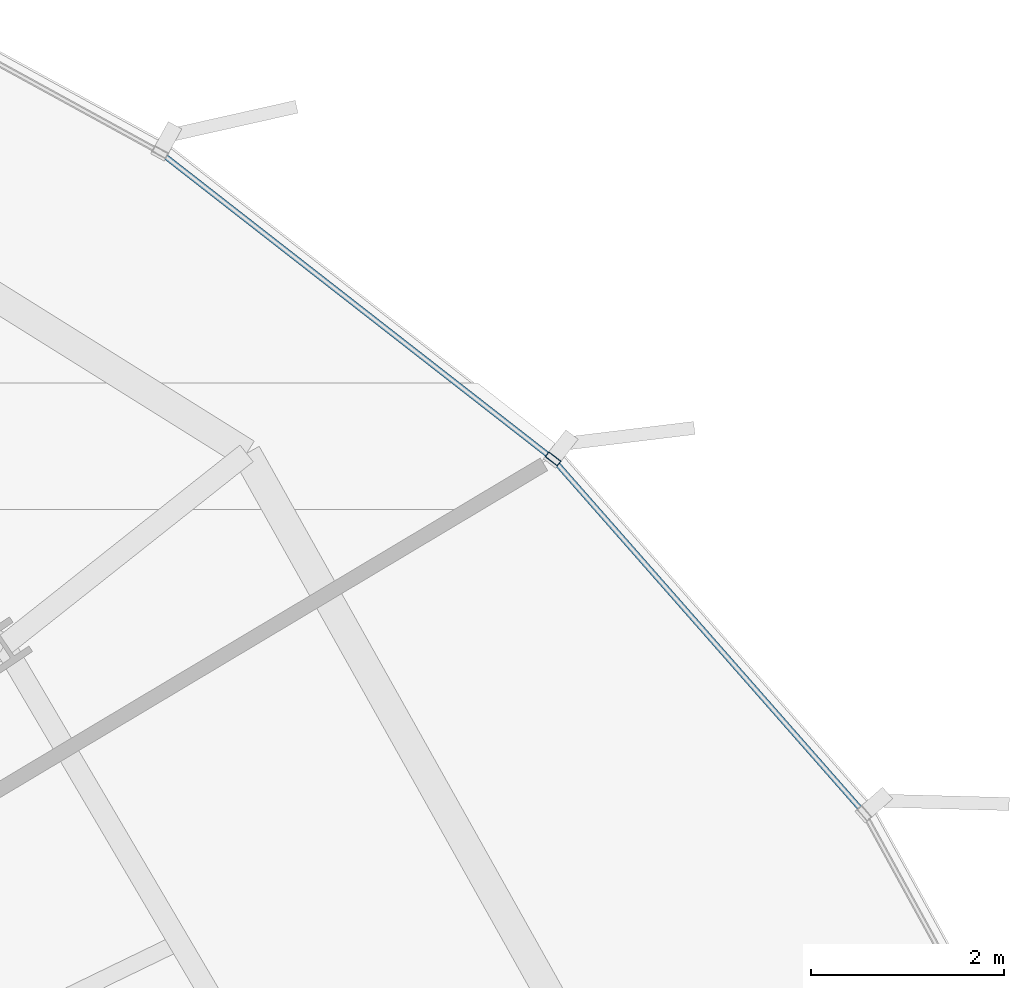
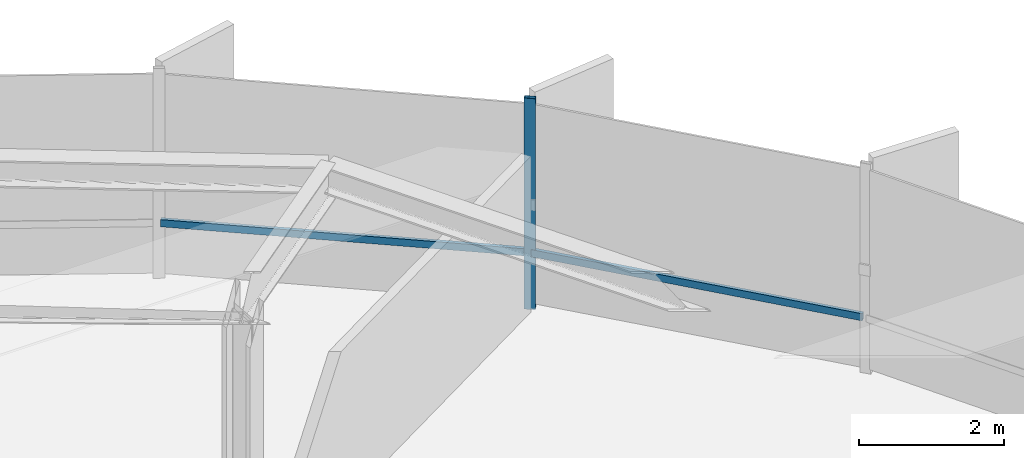
# One storey, part 25 of 37: 3 members, 1 element without a shape of its own.
"""IFC4 building model written with IfcOpenShell, lengths in metres."""

import ifcopenshell
import ifcopenshell.guid

model = None  # the IFC model being written
_history = None  # IfcOwnerHistory: only IFC2X3 demands one
_inside = {}  # id of a spatial element -> (the spatial element, [elements in it])
_under = {}  # id of a project, library or spatial element -> (it, [spatial elements below it])
_declared = {}  # id of a project -> (the project, [libraries it declares])
_typed = {}  # id of a type object -> (the type object, [elements of that type])
_made_of = {}  # id of a material, layer set ... -> (it, [elements and type objects made of it])


def new_model(schema):
    """Start an empty IFC model of exactly this schema.

    Asked for "IFC4X3", IfcOpenShell would pick the latest addendum, in which some entities
    have other attributes; the version numbers below select the first issue.
    IFC2X3 requires an IfcOwnerHistory on every rooted entity: one is made here for all.
    """
    global model, _history
    if schema == "IFC4X3":
        model = ifcopenshell.file(schema_version=(4, 3, 0, 0))
    else:
        model = ifcopenshell.file(schema=schema)
    _inside.clear()
    _under.clear()
    _declared.clear()
    _typed.clear()
    _made_of.clear()
    _history = None
    if model.schema == "IFC2X3":
        org = make("IfcOrganization", Name="unknown")
        user = make(
            "IfcPersonAndOrganization",
            ThePerson=make("IfcPerson", FamilyName="unknown"),
            TheOrganization=org,
        )
        app = make(
            "IfcApplication",
            ApplicationDeveloper=org,
            Version="unknown",
            ApplicationFullName="unknown",
            ApplicationIdentifier="unknown",
        )
        _history = make(
            "IfcOwnerHistory",
            OwningUser=user,
            OwningApplication=app,
            ChangeAction="ADDED",
            CreationDate=0,
        )
    return model


def make(cls, **values):
    """One entity of the class cls with the attributes given. An attribute that is None is left unset."""
    return model.create_entity(
        cls, **{name: value for name, value in values.items() if value is not None}
    )


def rooted(cls, **values):
    """An entity with a GlobalId (a new one), such as an element, a storey or a relation."""
    return make(cls, GlobalId=ifcopenshell.guid.new(), OwnerHistory=_history, **values)


def si_unit(unit_type, name, prefix=None):
    """IfcSIUnit, for example si_unit("LENGTHUNIT", "METRE", prefix="MILLI")."""
    return make("IfcSIUnit", UnitType=unit_type, Prefix=prefix, Name=name)


def assignment(units):
    """IfcUnitAssignment: the units of a project."""
    return None if units is None else make("IfcUnitAssignment", Units=units)


def point(xyz):
    """IfcCartesianPoint."""
    return None if xyz is None else make("IfcCartesianPoint", Coordinates=xyz)


def direction(xyz):
    """IfcDirection."""
    return None if xyz is None else make("IfcDirection", DirectionRatios=xyz)


def frame(location, z_axis=None, x_axis=None):
    """IfcAxis2Placement3D, a coordinate frame: its origin and axes. An axis left out is left unset."""
    return make(
        "IfcAxis2Placement3D",
        Location=point(location),
        Axis=direction(z_axis),
        RefDirection=direction(x_axis),
    )


def frame_2d(location, x_axis=None):
    """IfcAxis2Placement2D, a coordinate frame in the plane: its origin and x axis."""
    return make(
        "IfcAxis2Placement2D", Location=point(location), RefDirection=direction(x_axis)
    )


def origin():
    """The frame at (0, 0, 0) with its axes left unset."""
    return frame((0.0, 0.0, 0.0))


def origin_2d():
    """The frame at (0, 0) in the plane with its x axis left unset."""
    return frame_2d((0.0, 0.0))


def place(relative_to, where):
    """IfcLocalPlacement: puts the frame where relative to a parent placement (None: the world)."""
    return make(
        "IfcLocalPlacement", PlacementRelTo=relative_to, RelativePlacement=where
    )


def context(
    kind, dimensions, precision=None, world=None, true_north=None, identifier=None
):
    """IfcGeometricRepresentationContext, for example the 3D "Model" context."""
    return make(
        "IfcGeometricRepresentationContext",
        ContextIdentifier=identifier,
        ContextType=kind,
        CoordinateSpaceDimension=dimensions,
        Precision=precision,
        WorldCoordinateSystem=world,
        TrueNorth=true_north,
    )


def subcontext(parent, identifier, kind, view, scale=None):
    """IfcGeometricRepresentationSubContext, for example "Body" below "Model"."""
    return make(
        "IfcGeometricRepresentationSubContext",
        ContextIdentifier=identifier,
        ContextType=kind,
        ParentContext=parent,
        TargetScale=scale,
        TargetView=view,
    )


def project(units=None, contexts=None):
    """IfcProject with its units and contexts."""
    return rooted(
        "IfcProject",
        Name="project",
        RepresentationContexts=contexts,
        UnitsInContext=assignment(units),
    )


def spatial(cls, under=None, at=None, **own):
    """A site, building, storey or space (cls), placed at a placement, below another one or the project."""
    s = rooted(cls, ObjectPlacement=at, **own)
    if under is not None:
        _under.setdefault(under.id(), (under, []))[1].append(s)
    return s


def profile(cls, at=None, kind="AREA", **sizes):
    """A parametric profile (cls). Its sizes go by their IFC names, for example OverallWidth=200.0."""
    return make(cls, ProfileType=kind, Position=at, **sizes)


def hollow_rectangle(**sizes):
    """IfcRectangleHollowProfileDef."""
    return profile("IfcRectangleHollowProfileDef", **sizes)


def extrude(swept, where, along, depth):
    """IfcExtrudedAreaSolid: the profile swept, set in the frame where, extruded along a direction by depth."""
    return make(
        "IfcExtrudedAreaSolid",
        SweptArea=swept,
        Position=where,
        ExtrudedDirection=direction(along),
        Depth=depth,
    )


def shape(context_of_items, identifier, shape_type, items):
    """IfcShapeRepresentation: the items that make up one representation, for example the "Body"."""
    return make(
        "IfcShapeRepresentation",
        ContextOfItems=context_of_items,
        RepresentationIdentifier=identifier,
        RepresentationType=shape_type,
        Items=items,
    )


def source(mapping_origin, context_of_items, identifier, shape_type, items):
    """IfcRepresentationMap: a shape defined once, which mapped items show again and again."""
    return make(
        "IfcRepresentationMap",
        MappingOrigin=mapping_origin,
        MappedRepresentation=shape(context_of_items, identifier, shape_type, items),
    )


def transform(
    local_origin,
    x_axis=None,
    y_axis=None,
    z_axis=None,
    scale=None,
    scale2=None,
    scale3=None,
    uniform=True,
):
    """IfcCartesianTransformationOperator3D, or its non-uniform kind. x_axis, y_axis, z_axis: its Axis1, 2, 3."""
    if uniform:
        return make(
            "IfcCartesianTransformationOperator3D",
            Axis1=direction(x_axis),
            Axis2=direction(y_axis),
            LocalOrigin=point(local_origin),
            Scale=scale,
            Axis3=direction(z_axis),
        )
    return make(
        "IfcCartesianTransformationOperator3DnonUniform",
        Axis1=direction(x_axis),
        Axis2=direction(y_axis),
        LocalOrigin=point(local_origin),
        Scale=scale,
        Axis3=direction(z_axis),
        Scale2=scale2,
        Scale3=scale3,
    )


def mapped(mapping_source, mapping_target):
    """IfcMappedItem: shows the shape of a source again, moved by a transform."""
    return make(
        "IfcMappedItem", MappingSource=mapping_source, MappingTarget=mapping_target
    )


def material(Name=None, Category=None):
    """IfcMaterial."""
    return make("IfcMaterial", Name=Name, Category=Category)


def layer(
    of_material, thickness, ventilated=None, Name=None, Category=None, Priority=None
):
    """IfcMaterialLayer: one layer of a wall or slab, of a material (None: an air gap)."""
    return make(
        "IfcMaterialLayer",
        Material=of_material,
        LayerThickness=thickness,
        IsVentilated=ventilated,
        Name=Name,
        Category=Category,
        Priority=Priority,
    )


def layer_set(layers, Name=None):
    """IfcMaterialLayerSet."""
    return make("IfcMaterialLayerSet", MaterialLayers=layers, LayerSetName=Name)


def material_profile(
    of_material, cross_section, Name=None, Category=None, Priority=None
):
    """IfcMaterialProfile: a cross section and its material."""
    return make(
        "IfcMaterialProfile",
        Name=Name,
        Material=of_material,
        Profile=cross_section,
        Priority=Priority,
        Category=Category,
    )


def profile_set(profiles, Name=None, composite=None):
    """IfcMaterialProfileSet."""
    return make(
        "IfcMaterialProfileSet",
        Name=Name,
        MaterialProfiles=profiles,
        CompositeProfile=composite,
    )


def made_of(thing, what):
    """Note that an element or type object is made of a material, layer set ...; save() writes the relation."""
    if what is not None:
        _made_of.setdefault(what.id(), (what, []))[1].append(thing)
    return thing


def type_object(cls, material=None, **own):
    """A type object (cls), such as IfcWallType, which elements share."""
    return made_of(rooted(cls, **own), material)


def element(
    cls,
    number,
    at=None,
    inside=None,
    cuts=None,
    type_object=None,
    material=None,
    context=None,
    identifier="Body",
    shape_type=None,
    held_by="IfcProductDefinitionShape",
    body=None,
    shapes=None,
    **own,
):
    """One element of the class cls, such as IfcWall. Its Tag is "e" and its number.

    at: its placement. inside: the storey or other place that contains it. cuts: it is an
    opening in that element (IfcRelVoidsElement). A single representation is given by context,
    identifier, shape_type and body (its items); several are given by shapes. held_by: the class
    of the entity that holds the representations. save() writes the other relations.
    """
    e = rooted(cls, Tag="e%d" % number, ObjectPlacement=at, **own)
    if body is not None:
        shapes = [shape(context, identifier, shape_type, body)]
    if shapes is not None:
        e.Representation = make(held_by, Representations=shapes)
    if inside is not None:
        _inside.setdefault(inside.id(), (inside, []))[1].append(e)
    if cuts is not None:
        rooted(
            "IfcRelVoidsElement", RelatingBuildingElement=cuts, RelatedOpeningElement=e
        )
    if type_object is not None:
        _typed.setdefault(type_object.id(), (type_object, []))[1].append(e)
    return made_of(e, material)


def aggregate(whole, parts):
    """IfcRelAggregates: a whole, such as a stair, and the parts it consists of."""
    return rooted("IfcRelAggregates", RelatingObject=whole, RelatedObjects=parts)


def save(model, path):
    """Write the relations noted so far, then the file.

    IfcRelAggregates (storeys below a building ...), IfcRelContainedInSpatialStructure (elements
    in a storey), IfcRelDefinesByType, IfcRelAssociatesMaterial and IfcRelDeclares: one each for
    every whole, place, type object, material and project.
    """
    for whole, parts in _under.values():
        aggregate(whole, parts)
    for where, things in _inside.values():
        rooted(
            "IfcRelContainedInSpatialStructure",
            RelatedElements=things,
            RelatingStructure=where,
        )
    for kind, things in _typed.values():
        rooted("IfcRelDefinesByType", RelatedObjects=things, RelatingType=kind)
    for what, things in _made_of.values():
        rooted("IfcRelAssociatesMaterial", RelatedObjects=things, RelatingMaterial=what)
    for by, libraries in _declared.values():
        rooted("IfcRelDeclares", RelatingContext=by, RelatedDefinitions=libraries)
    model.write(path)


model = new_model("IFC4")

# Units and contexts
model_context = context("Model", 3, precision=1e-05, world=origin(), true_north=direction((0.0, 1.0)))
body_context = subcontext(model_context, "Body", "Model", "MODEL_VIEW")
ifc_project = project(units=[si_unit("LENGTHUNIT", "METRE"), si_unit("AREAUNIT", "SQUARE_METRE"), si_unit("VOLUMEUNIT", "CUBIC_METRE"), si_unit("PLANEANGLEUNIT", "RADIAN"), si_unit("MASSUNIT", "GRAM", prefix="KILO"), si_unit("THERMODYNAMICTEMPERATUREUNIT", "KELVIN")], contexts=[model_context])

# Site, building, storey
site_placement = place(None, origin())
site = spatial("IfcSite", under=ifc_project, at=site_placement, CompositionType="ELEMENT")
building_placement = place(site_placement, origin())
building = spatial("IfcBuilding", under=site, at=building_placement, Name="Kethvar Cultural Tower", CompositionType="ELEMENT")
storey_placement = place(building_placement, frame((0.0, 0.0, 60.0)))
storey = spatial("IfcBuildingStorey", under=building, at=storey_placement, Name="L14", CompositionType="ELEMENT", Elevation=60.0)

# Curtain wall, members
ifc_material = material(Name="Aluminium 6063-T6", Category="aluminium")
ifc_layer = layer(ifc_material, 0.179931640625, Name="Aluminium 6063-T6", Category="aluminium")
ifc_layer_set = layer_set([ifc_layer], Name="Aluminium 6063-T6 (180 mm)")
curtain_wall_type = type_object("IfcCurtainWallType", Name="CW-SYS-02-Z1", PredefinedType="NOTDEFINED", material=ifc_layer_set)
curtain_wall_placement = place(storey_placement, origin())
curtain_wall = element("IfcCurtainWall", 1, at=curtain_wall_placement, inside=storey, type_object=curtain_wall_type, Name="L14 Curtain Wall Run 01", PredefinedType="NOTDEFINED")
ifc_material_profile_1 = material_profile(ifc_material, hollow_rectangle(XDim=0.06494140625, YDim=0.159912109375, WallThickness=0.0048828125, at=origin_2d()), Name="Aluminium 6063-T6 — RHS160x65x5")
ifc_profile_set_1 = profile_set([ifc_material_profile_1], Name="Aluminium 6063-T6 — RHS160x65x5")
member_type_1 = type_object("IfcMemberType", Name="CW-SYS-02-Z1-MUL", PredefinedType="MULLION", material=ifc_profile_set_1)
shared_shape_1 = source(origin(), body_context, "Body", "SweptSolid", [
    extrude(hollow_rectangle(XDim=0.06494140625, YDim=0.159912109375, WallThickness=0.0048828125, at=origin_2d()), origin(), (0.0, 0.0, 1.0), 3.550048828125),
])
member_1_placement = place(storey_placement, frame((74.019775390625, 44.12060546875, 0.0), z_axis=(0.0, 0.0, 1.0), x_axis=(-0.615028621394, -0.788504784301, 0.0)))
member_1 = element("IfcMember", 2, at=member_1_placement, type_object=member_type_1, Name="CW-L14-R01 Mullion 4", PredefinedType="MULLION", context=body_context, shape_type="MappedRepresentation", body=[
    mapped(shared_shape_1, transform((0.0, 0.0, 0.0), scale=1.0)),
])
ifc_material_profile_2 = material_profile(ifc_material, hollow_rectangle(XDim=0.054931640625, YDim=0.1201171875, WallThickness=0.00390625, at=origin_2d()), Name="Aluminium 6063-T6 — RHS120x55x4")
ifc_profile_set_2 = profile_set([ifc_material_profile_2], Name="Aluminium 6063-T6 — RHS120x55x4")
member_type_2 = type_object("IfcMemberType", Name="CW-SYS-02-Z1-TRN", PredefinedType="USERDEFINED", material=ifc_profile_set_2)
shared_shape_2 = source(origin(), body_context, "Body", "SweptSolid", [
    extrude(hollow_rectangle(XDim=0.054931640625, YDim=0.1201171875, WallThickness=0.00390625, at=origin_2d()), origin(), (0.0, 0.0, 1.0), 4.816650390625),
])
member_2_placement = place(storey_placement, frame((77.21484375, 40.4833984375, 0.949951171875), z_axis=(-0.660311322439, 0.750991982287, 0.0), x_axis=(-0.750991982287, -0.660311322439, 0.0)))
member_2 = element("IfcMember", 3, at=member_2_placement, type_object=member_type_2, Name="CW-L14-R01 Transom 3", ObjectType="TRANSOM", PredefinedType="USERDEFINED", context=body_context, shape_type="MappedRepresentation", body=[
    mapped(shared_shape_2, transform((0.0, 0.0, 0.0), scale=1.0)),
])
shared_shape_3 = source(origin(), body_context, "Body", "SweptSolid", [
    extrude(hollow_rectangle(XDim=0.054931640625, YDim=0.1201171875, WallThickness=0.00390625, at=origin_2d()), origin(), (0.0, 0.0, 1.0), 5.08837890625),
])
member_3_placement = place(storey_placement, frame((73.98291015625, 44.1494140625, 0.949951171875), z_axis=(-0.788514405443, 0.615016286295, 0.0), x_axis=(-0.615016286295, -0.788514405443, 0.0)))
member_3 = element("IfcMember", 4, at=member_3_placement, type_object=member_type_2, Name="CW-L14-R01 Transom 4", ObjectType="TRANSOM", PredefinedType="USERDEFINED", context=body_context, shape_type="MappedRepresentation", body=[
    mapped(shared_shape_3, transform((0.0, 0.0, 0.0), scale=1.0)),
])
aggregate(curtain_wall, [member_1, member_2, member_3])

save(model, "model.ifc")
